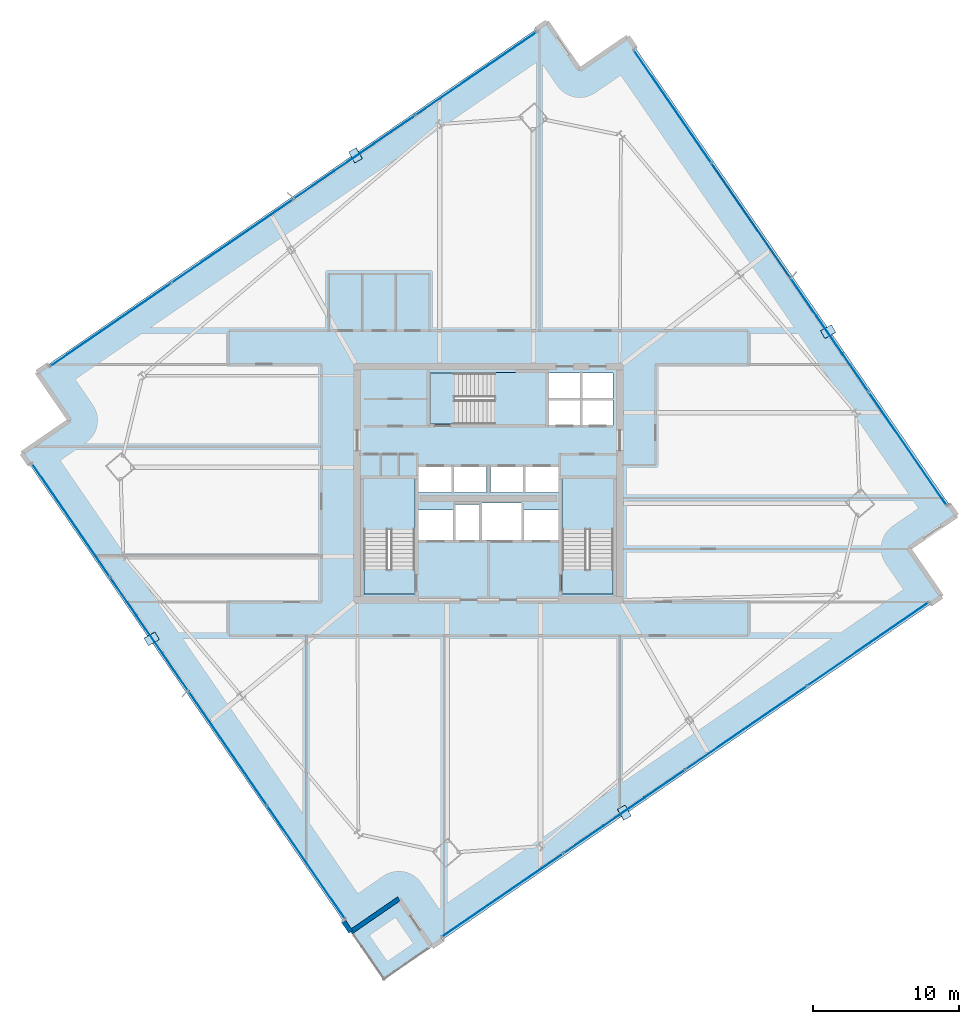
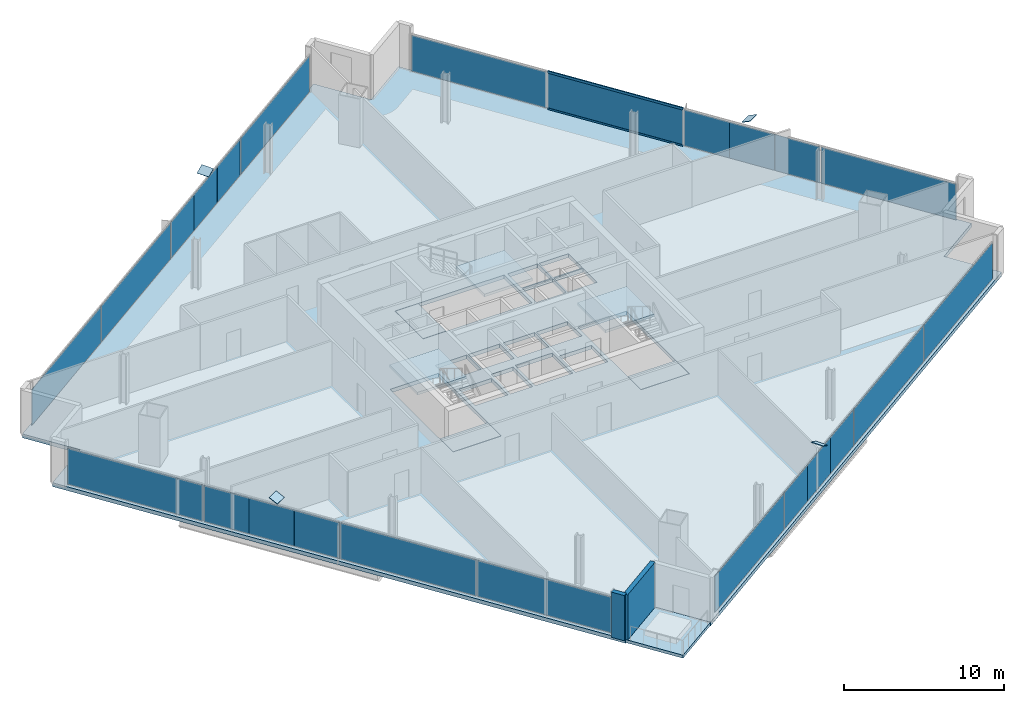
# One storey, part 20 of 29: 28 plates, 8 slabs, 2 members, 2 walls, 7 elements without a shape of their own.
"""IFC4 building model written with IfcOpenShell, lengths in metres."""

import ifcopenshell
import ifcopenshell.guid

model = None  # the IFC model being written
_history = None  # IfcOwnerHistory: only IFC2X3 demands one
_inside = {}  # id of a spatial element -> (the spatial element, [elements in it])
_under = {}  # id of a project, library or spatial element -> (it, [spatial elements below it])
_declared = {}  # id of a project -> (the project, [libraries it declares])
_typed = {}  # id of a type object -> (the type object, [elements of that type])
_made_of = {}  # id of a material, layer set ... -> (it, [elements and type objects made of it])


def new_model(schema):
    """Start an empty IFC model of exactly this schema.

    Asked for "IFC4X3", IfcOpenShell would pick the latest addendum, in which some entities
    have other attributes; the version numbers below select the first issue.
    IFC2X3 requires an IfcOwnerHistory on every rooted entity: one is made here for all.
    """
    global model, _history
    if schema == "IFC4X3":
        model = ifcopenshell.file(schema_version=(4, 3, 0, 0))
    else:
        model = ifcopenshell.file(schema=schema)
    _inside.clear()
    _under.clear()
    _declared.clear()
    _typed.clear()
    _made_of.clear()
    _history = None
    if model.schema == "IFC2X3":
        org = make("IfcOrganization", Name="unknown")
        user = make(
            "IfcPersonAndOrganization",
            ThePerson=make("IfcPerson", FamilyName="unknown"),
            TheOrganization=org,
        )
        app = make(
            "IfcApplication",
            ApplicationDeveloper=org,
            Version="unknown",
            ApplicationFullName="unknown",
            ApplicationIdentifier="unknown",
        )
        _history = make(
            "IfcOwnerHistory",
            OwningUser=user,
            OwningApplication=app,
            ChangeAction="ADDED",
            CreationDate=0,
        )
    return model


def make(cls, **values):
    """One entity of the class cls with the attributes given. An attribute that is None is left unset."""
    return model.create_entity(
        cls, **{name: value for name, value in values.items() if value is not None}
    )


def rooted(cls, **values):
    """An entity with a GlobalId (a new one), such as an element, a storey or a relation."""
    return make(cls, GlobalId=ifcopenshell.guid.new(), OwnerHistory=_history, **values)


def si_unit(unit_type, name, prefix=None):
    """IfcSIUnit, for example si_unit("LENGTHUNIT", "METRE", prefix="MILLI")."""
    return make("IfcSIUnit", UnitType=unit_type, Prefix=prefix, Name=name)


def assignment(units):
    """IfcUnitAssignment: the units of a project."""
    return None if units is None else make("IfcUnitAssignment", Units=units)


def point(xyz):
    """IfcCartesianPoint."""
    return None if xyz is None else make("IfcCartesianPoint", Coordinates=xyz)


def direction(xyz):
    """IfcDirection."""
    return None if xyz is None else make("IfcDirection", DirectionRatios=xyz)


def frame(location, z_axis=None, x_axis=None):
    """IfcAxis2Placement3D, a coordinate frame: its origin and axes. An axis left out is left unset."""
    return make(
        "IfcAxis2Placement3D",
        Location=point(location),
        Axis=direction(z_axis),
        RefDirection=direction(x_axis),
    )


def frame_2d(location, x_axis=None):
    """IfcAxis2Placement2D, a coordinate frame in the plane: its origin and x axis."""
    return make(
        "IfcAxis2Placement2D", Location=point(location), RefDirection=direction(x_axis)
    )


def origin():
    """The frame at (0, 0, 0) with its axes left unset."""
    return frame((0.0, 0.0, 0.0))


def origin_2d():
    """The frame at (0, 0) in the plane with its x axis left unset."""
    return frame_2d((0.0, 0.0))


def place(relative_to, where):
    """IfcLocalPlacement: puts the frame where relative to a parent placement (None: the world)."""
    return make(
        "IfcLocalPlacement", PlacementRelTo=relative_to, RelativePlacement=where
    )


def context(
    kind, dimensions, precision=None, world=None, true_north=None, identifier=None
):
    """IfcGeometricRepresentationContext, for example the 3D "Model" context."""
    return make(
        "IfcGeometricRepresentationContext",
        ContextIdentifier=identifier,
        ContextType=kind,
        CoordinateSpaceDimension=dimensions,
        Precision=precision,
        WorldCoordinateSystem=world,
        TrueNorth=true_north,
    )


def subcontext(parent, identifier, kind, view, scale=None):
    """IfcGeometricRepresentationSubContext, for example "Body" below "Model"."""
    return make(
        "IfcGeometricRepresentationSubContext",
        ContextIdentifier=identifier,
        ContextType=kind,
        ParentContext=parent,
        TargetScale=scale,
        TargetView=view,
    )


def project(units=None, contexts=None):
    """IfcProject with its units and contexts."""
    return rooted(
        "IfcProject",
        Name="project",
        RepresentationContexts=contexts,
        UnitsInContext=assignment(units),
    )


def spatial(cls, under=None, at=None, **own):
    """A site, building, storey or space (cls), placed at a placement, below another one or the project."""
    s = rooted(cls, ObjectPlacement=at, **own)
    if under is not None:
        _under.setdefault(under.id(), (under, []))[1].append(s)
    return s


def polyline(points):
    """IfcPolyline through the points."""
    return make("IfcPolyline", Points=[point(p) for p in points])


def profile(cls, at=None, kind="AREA", **sizes):
    """A parametric profile (cls). Its sizes go by their IFC names, for example OverallWidth=200.0."""
    return make(cls, ProfileType=kind, Position=at, **sizes)


def rectangle(**sizes):
    """IfcRectangleProfileDef."""
    return profile("IfcRectangleProfileDef", **sizes)


def hollow_rectangle(**sizes):
    """IfcRectangleHollowProfileDef."""
    return profile("IfcRectangleHollowProfileDef", **sizes)


def outline(outer, holes=None, kind="AREA"):
    """IfcArbitraryClosedProfileDef: a profile drawn as a closed curve; with holes, ...WithVoids."""
    if holes is None:
        return make("IfcArbitraryClosedProfileDef", ProfileType=kind, OuterCurve=outer)
    return make(
        "IfcArbitraryProfileDefWithVoids",
        ProfileType=kind,
        OuterCurve=outer,
        InnerCurves=holes,
    )


def extrude(swept, where, along, depth):
    """IfcExtrudedAreaSolid: the profile swept, set in the frame where, extruded along a direction by depth."""
    return make(
        "IfcExtrudedAreaSolid",
        SweptArea=swept,
        Position=where,
        ExtrudedDirection=direction(along),
        Depth=depth,
    )


def shape(context_of_items, identifier, shape_type, items):
    """IfcShapeRepresentation: the items that make up one representation, for example the "Body"."""
    return make(
        "IfcShapeRepresentation",
        ContextOfItems=context_of_items,
        RepresentationIdentifier=identifier,
        RepresentationType=shape_type,
        Items=items,
    )


def source(mapping_origin, context_of_items, identifier, shape_type, items):
    """IfcRepresentationMap: a shape defined once, which mapped items show again and again."""
    return make(
        "IfcRepresentationMap",
        MappingOrigin=mapping_origin,
        MappedRepresentation=shape(context_of_items, identifier, shape_type, items),
    )


def transform(
    local_origin,
    x_axis=None,
    y_axis=None,
    z_axis=None,
    scale=None,
    scale2=None,
    scale3=None,
    uniform=True,
):
    """IfcCartesianTransformationOperator3D, or its non-uniform kind. x_axis, y_axis, z_axis: its Axis1, 2, 3."""
    if uniform:
        return make(
            "IfcCartesianTransformationOperator3D",
            Axis1=direction(x_axis),
            Axis2=direction(y_axis),
            LocalOrigin=point(local_origin),
            Scale=scale,
            Axis3=direction(z_axis),
        )
    return make(
        "IfcCartesianTransformationOperator3DnonUniform",
        Axis1=direction(x_axis),
        Axis2=direction(y_axis),
        LocalOrigin=point(local_origin),
        Scale=scale,
        Axis3=direction(z_axis),
        Scale2=scale2,
        Scale3=scale3,
    )


def mapped(mapping_source, mapping_target):
    """IfcMappedItem: shows the shape of a source again, moved by a transform."""
    return make(
        "IfcMappedItem", MappingSource=mapping_source, MappingTarget=mapping_target
    )


def material(Name=None, Category=None):
    """IfcMaterial."""
    return make("IfcMaterial", Name=Name, Category=Category)


def layer(
    of_material, thickness, ventilated=None, Name=None, Category=None, Priority=None
):
    """IfcMaterialLayer: one layer of a wall or slab, of a material (None: an air gap)."""
    return make(
        "IfcMaterialLayer",
        Material=of_material,
        LayerThickness=thickness,
        IsVentilated=ventilated,
        Name=Name,
        Category=Category,
        Priority=Priority,
    )


def layer_set(layers, Name=None):
    """IfcMaterialLayerSet."""
    return make("IfcMaterialLayerSet", MaterialLayers=layers, LayerSetName=Name)


def material_profile(
    of_material, cross_section, Name=None, Category=None, Priority=None
):
    """IfcMaterialProfile: a cross section and its material."""
    return make(
        "IfcMaterialProfile",
        Name=Name,
        Material=of_material,
        Profile=cross_section,
        Priority=Priority,
        Category=Category,
    )


def profile_set(profiles, Name=None, composite=None):
    """IfcMaterialProfileSet."""
    return make(
        "IfcMaterialProfileSet",
        Name=Name,
        MaterialProfiles=profiles,
        CompositeProfile=composite,
    )


def made_of(thing, what):
    """Note that an element or type object is made of a material, layer set ...; save() writes the relation."""
    if what is not None:
        _made_of.setdefault(what.id(), (what, []))[1].append(thing)
    return thing


def type_object(cls, material=None, **own):
    """A type object (cls), such as IfcWallType, which elements share."""
    return made_of(rooted(cls, **own), material)


def element(
    cls,
    number,
    at=None,
    inside=None,
    cuts=None,
    type_object=None,
    material=None,
    context=None,
    identifier="Body",
    shape_type=None,
    held_by="IfcProductDefinitionShape",
    body=None,
    shapes=None,
    **own,
):
    """One element of the class cls, such as IfcWall. Its Tag is "e" and its number.

    at: its placement. inside: the storey or other place that contains it. cuts: it is an
    opening in that element (IfcRelVoidsElement). A single representation is given by context,
    identifier, shape_type and body (its items); several are given by shapes. held_by: the class
    of the entity that holds the representations. save() writes the other relations.
    """
    e = rooted(cls, Tag="e%d" % number, ObjectPlacement=at, **own)
    if body is not None:
        shapes = [shape(context, identifier, shape_type, body)]
    if shapes is not None:
        e.Representation = make(held_by, Representations=shapes)
    if inside is not None:
        _inside.setdefault(inside.id(), (inside, []))[1].append(e)
    if cuts is not None:
        rooted(
            "IfcRelVoidsElement", RelatingBuildingElement=cuts, RelatedOpeningElement=e
        )
    if type_object is not None:
        _typed.setdefault(type_object.id(), (type_object, []))[1].append(e)
    return made_of(e, material)


def aggregate(whole, parts):
    """IfcRelAggregates: a whole, such as a stair, and the parts it consists of."""
    return rooted("IfcRelAggregates", RelatingObject=whole, RelatedObjects=parts)


def save(model, path):
    """Write the relations noted so far, then the file.

    IfcRelAggregates (storeys below a building ...), IfcRelContainedInSpatialStructure (elements
    in a storey), IfcRelDefinesByType, IfcRelAssociatesMaterial and IfcRelDeclares: one each for
    every whole, place, type object, material and project.
    """
    for whole, parts in _under.values():
        aggregate(whole, parts)
    for where, things in _inside.values():
        rooted(
            "IfcRelContainedInSpatialStructure",
            RelatedElements=things,
            RelatingStructure=where,
        )
    for kind, things in _typed.values():
        rooted("IfcRelDefinesByType", RelatedObjects=things, RelatingType=kind)
    for what, things in _made_of.values():
        rooted("IfcRelAssociatesMaterial", RelatedObjects=things, RelatingMaterial=what)
    for by, libraries in _declared.values():
        rooted("IfcRelDeclares", RelatingContext=by, RelatedDefinitions=libraries)
    model.write(path)


model = new_model("IFC4")

# Units and contexts
model_context = context("Model", 3, precision=1e-05, world=origin(), true_north=direction((0.0, 1.0)))
body_context = subcontext(model_context, "Body", "Model", "MODEL_VIEW")
ifc_project = project(units=[si_unit("LENGTHUNIT", "METRE"), si_unit("AREAUNIT", "SQUARE_METRE"), si_unit("VOLUMEUNIT", "CUBIC_METRE"), si_unit("PLANEANGLEUNIT", "RADIAN"), si_unit("MASSUNIT", "GRAM", prefix="KILO")], contexts=[model_context])

# Site, building, storey
site_placement = place(None, origin())
site = spatial("IfcSite", under=ifc_project, at=site_placement, CompositionType="ELEMENT")
building_placement = place(site_placement, origin())
building = spatial("IfcBuilding", under=site, at=building_placement, Name="Haldenkirk Collegiate Tower", CompositionType="ELEMENT")
storey_placement = place(building_placement, frame((0.0, 0.0, 144.449951171875)))
storey = spatial("IfcBuildingStorey", under=building, at=storey_placement, Name="L35", CompositionType="ELEMENT", Elevation=144.449951171875)

# Curtain wall, members
ifc_material_1 = material(Name="Anodised architectural bronze aluminium", Category="aluminium")
curtain_wall_type_1 = type_object("IfcCurtainWallType", Name="CW-SYS1-CONVEX-LOW", PredefinedType="USERDEFINED", material=ifc_material_1)
curtain_wall_1_placement = place(storey_placement, origin())
curtain_wall_1 = element("IfcCurtainWall", 1, at=curtain_wall_1_placement, inside=storey, type_object=curtain_wall_type_1, Name="L35 Lower tower convex bronze-framed unitised curtain wall", ObjectType="UNITISED CURTAIN WALL", PredefinedType="USERDEFINED")
ifc_material_profile = material_profile(ifc_material_1, hollow_rectangle(XDim=0.080078125, YDim=0.179931640625, WallThickness=0.0048828125, at=origin_2d()), Name="CW-TRN-1A")
ifc_profile_set = profile_set([ifc_material_profile], Name="Anodised architectural bronze aluminium")
member_type = type_object("IfcMemberType", Name="CW-TRN-1A", PredefinedType="USERDEFINED", material=ifc_profile_set)
member_1_placement = place(storey_placement, frame((51.318115234375, 47.88525390625, 0.0400390625), z_axis=(0.566403421849, -0.824128123363, 0.0), x_axis=(0.824128123363, 0.566403421849, 0.0)))
member_1 = element("IfcMember", 2, at=member_1_placement, type_object=member_type, Name="CW-1A transom 2.1", ObjectType="TRANSOM", PredefinedType="USERDEFINED", context=body_context, shape_type="SweptSolid", body=[
    extrude(hollow_rectangle(XDim=0.080078125, YDim=0.179931640625, WallThickness=0.0048828125, at=origin_2d()), origin(), (0.0, 0.0, 1.0), 9.419921875),
])
member_2_placement = place(storey_placement, frame((51.318115234375, 47.88525390625, 2.87109375), z_axis=(0.566403421849, -0.824128123363, 0.0), x_axis=(0.824128123363, 0.566403421849, 0.0)))
member_2 = element("IfcMember", 3, at=member_2_placement, type_object=member_type, Name="CW-1A transom 2.2", ObjectType="TRANSOM", PredefinedType="USERDEFINED", context=body_context, shape_type="SweptSolid", body=[
    extrude(hollow_rectangle(XDim=0.080078125, YDim=0.179931640625, WallThickness=0.0048828125, at=origin_2d()), origin(), (0.0, 0.0, 1.0), 9.419921875),
])

# Slab
ifc_material_2 = material(Name="Concrete f'c 40 MPa", Category="concrete")
ifc_layer_1 = layer(ifc_material_2, 0.2900390625)
ifc_layer_set_1 = layer_set([ifc_layer_1], Name="Concrete f'c 40 MPa")
slab_type_1 = type_object("IfcSlabType", Name="SLB-FLR-290", PredefinedType="FLOOR", material=ifc_layer_set_1)
slab_1_placement = place(storey_placement, frame((0.0, 0.0, -0.2900390625)))
element("IfcSlab", 4, at=slab_1_placement, inside=storey, type_object=slab_type_1, Name="L35 composite structural floor slab", PredefinedType="FLOOR", context=body_context, shape_type="SweptSolid", body=[
    extrude(outline(polyline([(32.122314453125, -5.786865234375), (67.065185546875, 18.228759765625), (64.799560546875, 21.525390625), (68.09619140625, 23.791015625), (45.552978515625, 56.591064453125), (42.256591796875, 54.325439453125), (39.990966796875, 57.6220703125), (5.048095703125, 33.6064453125), (7.313720703125, 30.309814453125), (4.01708984375, 28.044189453125), (26.56005859375, -4.756103515625), (29.856689453125, -2.490234375), (32.122314453125, -5.786865234375)]), holes=[polyline([(27.449951171875, 18.39990234375), (30.949951171875, 18.39990234375), (30.949951171875, 26.300048828125), (27.449951171875, 26.300048828125), (27.449951171875, 18.39990234375)]), polyline([(41.050048828125, 18.39990234375), (44.550048828125, 18.39990234375), (44.550048828125, 26.300048828125), (41.050048828125, 26.300048828125), (41.050048828125, 18.39990234375)]), polyline([(32.0, 30.050048828125), (39.89990234375, 30.050048828125), (39.89990234375, 33.550048828125), (32.0, 33.550048828125), (32.0, 30.050048828125)]), polyline([(33.75, 22.10009765625), (35.35009765625, 22.10009765625), (35.35009765625, 24.550048828125), (33.75, 24.550048828125), (33.75, 22.10009765625)]), polyline([(40.14990234375, 29.949951171875), (42.320068359375, 29.949951171875), (42.320068359375, 31.699951171875), (40.14990234375, 31.699951171875), (40.14990234375, 29.949951171875)]), polyline([(42.419921875, 29.949951171875), (44.550048828125, 29.949951171875), (44.550048828125, 31.699951171875), (42.419921875, 31.699951171875), (42.419921875, 29.949951171875)]), polyline([(40.14990234375, 31.800048828125), (42.320068359375, 31.800048828125), (42.320068359375, 33.550048828125), (40.14990234375, 33.550048828125), (40.14990234375, 31.800048828125)]), polyline([(42.419921875, 31.800048828125), (44.550048828125, 31.800048828125), (44.550048828125, 33.550048828125), (42.419921875, 33.550048828125), (42.419921875, 31.800048828125)]), polyline([(31.199951171875, 25.35009765625), (33.47998046875, 25.35009765625), (33.47998046875, 27.14990234375), (31.199951171875, 27.14990234375), (31.199951171875, 25.35009765625)]), polyline([(33.60009765625, 25.35009765625), (35.8798828125, 25.35009765625), (35.8798828125, 27.14990234375), (33.60009765625, 27.14990234375), (33.60009765625, 25.35009765625)]), polyline([(36.1201171875, 25.35009765625), (38.39990234375, 25.35009765625), (38.39990234375, 27.14990234375), (36.1201171875, 27.14990234375), (36.1201171875, 25.35009765625)]), polyline([(38.52001953125, 25.35009765625), (40.800048828125, 25.35009765625), (40.800048828125, 27.14990234375), (38.52001953125, 27.14990234375), (38.52001953125, 25.35009765625)]), polyline([(31.199951171875, 22.10009765625), (33.550048828125, 22.10009765625), (33.550048828125, 24.14990234375), (31.199951171875, 24.14990234375), (31.199951171875, 22.10009765625)]), polyline([(38.449951171875, 22.10009765625), (40.800048828125, 22.10009765625), (40.800048828125, 24.14990234375), (38.449951171875, 24.14990234375), (38.449951171875, 22.10009765625)]), polyline([(35.550048828125, 22.10009765625), (38.25, 22.10009765625), (38.25, 24.64990234375), (35.550048828125, 24.64990234375), (35.550048828125, 22.10009765625)])]), origin(), (0.0, 0.0, 1.0), 0.2900390625),
])

# Stair, slab
stair_type = type_object("IfcStairType", Name="STR-DOGLEG-1650", PredefinedType="HALF_TURN_STAIR", material=ifc_material_2)
stair_1_placement = place(storey_placement, origin())
stair_1 = element("IfcStair", 5, at=stair_1_placement, inside=storey, type_object=stair_type, Name="L35 Core Exit Stair ST-1", PredefinedType="HALF_TURN_STAIR")
ifc_layer_2 = layer(ifc_material_2, 0.199951171875)
ifc_layer_set_2 = layer_set([ifc_layer_2], Name="Concrete f'c 40 MPa")
slab_type_2 = type_object("IfcSlabType", Name="SLB-LANDING-200", PredefinedType="LANDING", material=ifc_layer_set_2)
slab_2_placement = place(storey_placement, frame((0.0, 0.0, 1.675048828125)))
slab_2 = element("IfcSlab", 6, at=slab_2_placement, type_object=slab_type_2, Name="ST-1 landing 1", PredefinedType="LANDING", context=body_context, shape_type="SweptSolid", body=[
    extrude(outline(polyline([(30.97509765625, 22.824951171875), (27.425048828125, 22.824951171875), (27.425048828125, 26.324951171875), (30.97509765625, 26.324951171875), (30.97509765625, 22.824951171875)])), origin(), (0.0, 0.0, 1.0), 0.199951171875),
])
aggregate(stair_1, [slab_2])

stair_2_placement = place(storey_placement, origin())
stair_2 = element("IfcStair", 7, at=stair_2_placement, inside=storey, type_object=stair_type, Name="L35 Core Exit Stair ST-2", PredefinedType="HALF_TURN_STAIR")
slab_3_placement = place(storey_placement, frame((0.0, 0.0, 1.675048828125)))
slab_3 = element("IfcSlab", 8, at=slab_3_placement, type_object=slab_type_2, Name="ST-2 landing 1", PredefinedType="LANDING", context=body_context, shape_type="SweptSolid", body=[
    extrude(outline(polyline([(44.574951171875, 22.824951171875), (41.02490234375, 22.824951171875), (41.02490234375, 26.324951171875), (44.574951171875, 26.324951171875), (44.574951171875, 22.824951171875)])), origin(), (0.0, 0.0, 1.0), 0.199951171875),
])
aggregate(stair_2, [slab_3])

stair_3_placement = place(storey_placement, origin())
stair_3 = element("IfcStair", 9, at=stair_3_placement, inside=storey, type_object=stair_type, Name="L35 Core Exit Stair ST-3", PredefinedType="HALF_TURN_STAIR")
slab_4_placement = place(storey_placement, frame((0.0, 0.0, 1.675048828125)))
slab_4 = element("IfcSlab", 10, at=slab_4_placement, type_object=slab_type_2, Name="ST-3 landing 1", PredefinedType="LANDING", context=body_context, shape_type="SweptSolid", body=[
    extrude(outline(polyline([(36.425048828125, 30.02490234375), (36.425048828125, 33.574951171875), (39.925048828125, 33.574951171875), (39.925048828125, 30.02490234375), (36.425048828125, 30.02490234375)])), origin(), (0.0, 0.0, 1.0), 0.199951171875),
])
aggregate(stair_3, [slab_4])

# Slabs
ifc_layer_3 = layer(ifc_material_2, 0.25)
ifc_layer_set_3 = layer_set([ifc_layer_3], Name="Concrete f'c 40 MPa")
slab_type_3 = type_object("IfcSlabType", Name="SLB-STAIRLAND-250", PredefinedType="LANDING", material=ifc_layer_set_3)
slab_5_placement = place(storey_placement, frame((0.0, 0.0, -0.25)))
element("IfcSlab", 11, at=slab_5_placement, inside=storey, type_object=slab_type_3, Name="L35 stair ST1 structural floor landing slab", PredefinedType="LANDING", context=body_context, shape_type="SweptSolid", body=[
    extrude(outline(polyline([(27.4599609375, 18.409912109375), (30.93994140625, 18.409912109375), (30.93994140625, 20.080078125), (27.4599609375, 20.080078125), (27.4599609375, 18.409912109375)])), origin(), (0.0, 0.0, 1.0), 0.25),
])
slab_6_placement = place(storey_placement, frame((0.0, 0.0, -0.25)))
element("IfcSlab", 12, at=slab_6_placement, inside=storey, type_object=slab_type_3, Name="L35 stair ST2 structural floor landing slab", PredefinedType="LANDING", context=body_context, shape_type="SweptSolid", body=[
    extrude(outline(polyline([(41.06005859375, 18.409912109375), (44.5400390625, 18.409912109375), (44.5400390625, 20.080078125), (41.06005859375, 20.080078125), (41.06005859375, 18.409912109375)])), origin(), (0.0, 0.0, 1.0), 0.25),
])
slab_7_placement = place(storey_placement, frame((0.0, 0.0, -0.25)))
element("IfcSlab", 13, at=slab_7_placement, inside=storey, type_object=slab_type_3, Name="L35 stair ST3 structural floor landing slab", PredefinedType="LANDING", context=body_context, shape_type="SweptSolid", body=[
    extrude(outline(polyline([(32.010009765625, 30.06005859375), (33.679931640625, 30.06005859375), (33.679931640625, 33.5400390625), (32.010009765625, 33.5400390625), (32.010009765625, 30.06005859375)])), origin(), (0.0, 0.0, 1.0), 0.25),
])
ifc_layer_4 = layer(ifc_material_2, 0.22998046875)
ifc_layer_set_4 = layer_set([ifc_layer_4], Name="Concrete f'c 40 MPa")
slab_type_4 = type_object("IfcSlabType", Name="SLB-TERR-SPIRAL-230", PredefinedType="FLOOR", material=ifc_layer_set_4)
slab_8_placement = place(storey_placement, frame((0.0, 0.0, -0.22998046875)))
element("IfcSlab", 14, at=slab_8_placement, inside=storey, type_object=slab_type_4, Name="L35 spiralling corner terrace slab", PredefinedType="FLOOR", context=body_context, shape_type="SweptSolid", body=[
    extrude(outline(polyline([(28.82568359375, -8.052490234375), (32.122314453125, -5.786865234375), (29.856689453125, -2.490234375), (26.56005859375, -4.756103515625), (28.82568359375, -8.052490234375)])), origin(), (0.0, 0.0, 1.0), 0.22998046875),
])

# Plates
ifc_material_3 = material(Name="Steel ASTM A572 Grade 50", Category="steel")
ifc_layer_5 = layer(ifc_material_3, 0.034912109375)
ifc_layer_set_5 = layer_set([ifc_layer_5], Name="Steel ASTM A572 Grade 50")
plate_type_1 = type_object("IfcPlateType", Name="PLT-CAP-EXT-760X600", PredefinedType="USERDEFINED", material=ifc_layer_set_5)
shared_shape_1 = source(origin(), body_context, "Body", "SweptSolid", [
    extrude(rectangle(XDim=0.860107421875, YDim=0.659912109375, at=origin_2d()), origin(), (0.0, 0.0, 1.0), 0.034912109375),
])
for number, where, z_axis, x_axis, name in (
    (15, (45.30419921875, 3.4091796875, 3.447509765625), (0.386889094797, 0.217913053394, 0.896008219543), (-0.490753059337, 0.871298705813, -3.9565e-07), "Perimeter Mega Brace Z3 L33-L35 SL end cap plate 2"),
    (16, (59.291259765625, 36.386474609375, 3.447509765625), (-0.213793124675, 0.376348219471, 0.901473525703), (-0.869497686663, -0.493937013076, -3.4602e-07), "Perimeter Mega Brace Z3 L33-L35 EL end cap plate 2"),
    (17, (26.89208984375, 48.4853515625, 3.447509765625), (-0.388689008173, -0.218536004595, 0.895077018821), (0.490088028787, -0.87167294557, -1.03915e-07), "Perimeter Mega Brace Z3 L33-L35 NL end cap plate 2"),
    (18, (12.906494140625, 15.337890625, 3.447509765625), (0.218724941125, -0.381188897394, 0.898250758215), (0.867356809287, 0.497686814556, 1.34754e-07), "Perimeter Mega Brace Z3 L33-L35 WL end cap plate 2"),
):
    element("IfcPlate", number, at=place(storey_placement, frame(where, z_axis=z_axis, x_axis=x_axis)), inside=storey, type_object=plate_type_1, Name=name, ObjectType="END CAP PLATE", PredefinedType="USERDEFINED", context=body_context, shape_type="MappedRepresentation", body=[
        mapped(shared_shape_1, transform((0.0, 0.0, 0.0), x_axis=(1.0, 0.0, 0.0), y_axis=(0.0, 1.0, 0.0), z_axis=(0.0, 0.0, 1.0), scale=1.0)),
    ])

# Curtain wall, plates
curtain_wall_type_2 = type_object("IfcCurtainWallType", Name="CW-SYS2-CONCAVE", PredefinedType="USERDEFINED", material=ifc_material_1)
curtain_wall_2_placement = place(storey_placement, origin())
curtain_wall_2 = element("IfcCurtainWall", 19, at=curtain_wall_2_placement, inside=storey, type_object=curtain_wall_type_2, Name="L35 South concave recessed bronze-anodised curtain wall", ObjectType="UNITISED CURTAIN WALL", PredefinedType="USERDEFINED")
ifc_material_4 = material(Name="Low-E argon triple insulating glass", Category="glass")
ifc_layer_6 = layer(ifc_material_4, 0.0419921875)
ifc_layer_set_6 = layer_set([ifc_layer_6], Name="Low-E argon triple insulating glass")
plate_type_2 = type_object("IfcPlateType", Name="CW-PNL-02", PredefinedType="CURTAIN_PANEL", material=ifc_layer_set_6)
shared_shape_2 = source(origin(), body_context, "Body", "SweptSolid", [
    extrude(rectangle(XDim=10.03759765625, YDim=0.0419921875, at=origin_2d()), origin(), (0.0, 0.0, 1.0), 2.760986328125),
])
plate_1_placement = place(storey_placement, frame((62.023681640625, 14.982177734375, 0.0751953125), z_axis=(0.0, 0.0, 1.0), x_axis=(-0.82412707661, -0.566404944893, 0.0)))
plate_1 = element("IfcPlate", 20, at=plate_1_placement, type_object=plate_type_2, Name="CW-02 panel 1.1", PredefinedType="CURTAIN_PANEL", context=body_context, shape_type="MappedRepresentation", body=[
    mapped(shared_shape_2, transform((0.0, 0.0, 0.0), x_axis=(1.0, 0.0, 0.0), y_axis=(0.0, 1.0, 0.0), z_axis=(0.0, 0.0, 1.0), scale=1.0)),
])
plate_2_placement = place(storey_placement, frame((36.9599609375, -2.24365234375, 0.0751953125), z_axis=(0.0, 0.0, 1.0), x_axis=(-0.82412707661, -0.566404944893, 0.0)))
plate_2 = element("IfcPlate", 21, at=plate_2_placement, type_object=plate_type_2, Name="CW-02 panel 4.1", PredefinedType="CURTAIN_PANEL", context=body_context, shape_type="MappedRepresentation", body=[
    mapped(shared_shape_2, transform((0.0, 0.0, 0.0), x_axis=(1.0, 0.0, 0.0), y_axis=(0.0, 1.0, 0.0), z_axis=(0.0, 0.0, 1.0), scale=1.0)),
])
shared_shape_3 = source(origin(), body_context, "Body", "SweptSolid", [
    extrude(rectangle(XDim=10.074951171875, YDim=0.0419921875, at=origin_2d()), origin(), (0.0, 0.0, 1.0), 2.760986328125),
])
plate_3_placement = place(storey_placement, frame((53.674072265625, 9.243896484375, 0.0751953125), z_axis=(0.0, 0.0, 1.0), x_axis=(-0.82412707661, -0.566404944893, 0.0)))
plate_3 = element("IfcPlate", 22, at=plate_3_placement, type_object=plate_type_2, Name="CW-02 panel 2.1", PredefinedType="CURTAIN_PANEL", context=body_context, shape_type="MappedRepresentation", body=[
    mapped(shared_shape_3, transform((0.0, 0.0, 0.0), x_axis=(1.0, 0.0, 0.0), y_axis=(0.0, 1.0, 0.0), z_axis=(0.0, 0.0, 1.0), scale=1.0)),
])
ifc_material_5 = material(Name="Bronze-anodised insulated aluminium spandrel panel", Category="aluminium")
ifc_layer_7 = layer(ifc_material_5, 0.0419921875)
ifc_layer_set_7 = layer_set([ifc_layer_7], Name="Bronze-anodised insulated aluminium spandrel panel")
plate_type_3 = type_object("IfcPlateType", Name="CW-SPD-02", PredefinedType="CURTAIN_PANEL", material=ifc_layer_set_7)
shared_shape_4 = source(origin(), body_context, "Body", "SweptSolid", [
    extrude(rectangle(XDim=3.345703125, YDim=0.0419921875, at=origin_2d()), origin(), (0.0, 0.0, 1.0), 2.760986328125),
])
plate_4_placement = place(storey_placement, frame((48.082275390625, 5.400390625, 0.0751953125), z_axis=(0.0, 0.0, 1.0), x_axis=(-0.82412707661, -0.566404944893, 0.0)))
plate_4 = element("IfcPlate", 23, at=plate_4_placement, type_object=plate_type_3, Name="CW-02 spandrel panel 3.1a", PredefinedType="CURTAIN_PANEL", context=body_context, shape_type="MappedRepresentation", body=[
    mapped(shared_shape_4, transform((0.0, 0.0, 0.0), x_axis=(1.0, 0.0, 0.0), y_axis=(0.0, 1.0, 0.0), z_axis=(0.0, 0.0, 1.0), scale=1.0)),
])
plate_5_placement = place(storey_placement, frame((42.53662109375, 1.589111328125, 0.0751953125), z_axis=(0.0, 0.0, 1.0), x_axis=(-0.82412707661, -0.566404944893, 0.0)))
plate_5 = element("IfcPlate", 24, at=plate_5_placement, type_object=plate_type_3, Name="CW-02 spandrel panel 3.1c", PredefinedType="CURTAIN_PANEL", context=body_context, shape_type="MappedRepresentation", body=[
    mapped(shared_shape_4, transform((0.0, 0.0, 0.0), x_axis=(1.0, 0.0, 0.0), y_axis=(0.0, 1.0, 0.0), z_axis=(0.0, 0.0, 1.0), scale=1.0)),
])
shared_shape_5 = source(origin(), body_context, "Body", "SweptSolid", [
    extrude(rectangle(XDim=3.333251953125, YDim=0.0419921875, at=origin_2d()), origin(), (0.0, 0.0, 1.0), 2.760986328125),
])
plate_6_placement = place(storey_placement, frame((45.309326171875, 3.494873046875, 0.0751953125), z_axis=(0.0, 0.0, 1.0), x_axis=(-0.82412707661, -0.566404944893, 0.0)))
plate_6 = element("IfcPlate", 25, at=plate_6_placement, type_object=plate_type_3, Name="CW-02 spandrel panel 3.1b", PredefinedType="CURTAIN_PANEL", context=body_context, shape_type="MappedRepresentation", body=[
    mapped(shared_shape_5, transform((0.0, 0.0, 0.0), x_axis=(1.0, 0.0, 0.0), y_axis=(0.0, 1.0, 0.0), z_axis=(0.0, 0.0, 1.0), scale=1.0)),
])
aggregate(curtain_wall_2, [plate_1, plate_3, plate_4, plate_6, plate_5, plate_2])

# Plate
ifc_layer_8 = layer(ifc_material_4, 0.0439453125)
ifc_layer_set_8 = layer_set([ifc_layer_8], Name="Low-E argon triple insulating glass")
plate_type_4 = type_object("IfcPlateType", Name="CW-PNL-1A", PredefinedType="CURTAIN_PANEL", material=ifc_layer_set_8)
shared_shape_6 = source(origin(), body_context, "Body", "SweptSolid", [
    extrude(rectangle(XDim=9.3798828125, YDim=0.0439453125, at=origin_2d()), origin(), (0.0, 0.0, 1.0), 2.7509765625),
])
plate_7_placement = place(storey_placement, frame((48.616455078125, 51.81640625, 0.080078125), z_axis=(0.0, 0.0, 1.0), x_axis=(0.5664055162, -0.824126683962, 0.0)))
plate_7 = element("IfcPlate", 26, at=plate_7_placement, type_object=plate_type_4, Name="CW-1A panel 1.1", PredefinedType="CURTAIN_PANEL", context=body_context, shape_type="MappedRepresentation", body=[
    mapped(shared_shape_6, transform((0.0, 0.0, 0.0), x_axis=(1.0, 0.0, 0.0), y_axis=(0.0, 1.0, 0.0), z_axis=(0.0, 0.0, 1.0), scale=1.0)),
])

plate_8_placement = place(storey_placement, frame((64.736328125, 28.361572265625, 0.080078125), z_axis=(0.0, 0.0, 1.0), x_axis=(0.5664055162, -0.824126683962, 0.0)))
plate_8 = element("IfcPlate", 27, at=plate_8_placement, type_object=plate_type_4, Name="CW-1A panel 4.1", PredefinedType="CURTAIN_PANEL", context=body_context, shape_type="MappedRepresentation", body=[
    mapped(shared_shape_6, transform((0.0, 0.0, 0.0), x_axis=(1.0, 0.0, 0.0), y_axis=(0.0, 1.0, 0.0), z_axis=(0.0, 0.0, 1.0), scale=1.0)),
])

# Curtain wall, plates
curtain_wall_3_placement = place(storey_placement, origin())
curtain_wall_3 = element("IfcCurtainWall", 28, at=curtain_wall_3_placement, inside=storey, type_object=curtain_wall_type_1, Name="L35 Lower tower convex bronze-framed unitised curtain wall", ObjectType="UNITISED CURTAIN WALL", PredefinedType="USERDEFINED")
plate_9_placement = place(storey_placement, frame((23.496826171875, 0.018798828125, 0.080078125), z_axis=(0.0, 0.0, 1.0), x_axis=(-0.566402500476, 0.8241287566, 0.0)))
plate_9 = element("IfcPlate", 29, at=plate_9_placement, type_object=plate_type_4, Name="CW-1A panel 1.1", PredefinedType="CURTAIN_PANEL", context=body_context, shape_type="MappedRepresentation", body=[
    mapped(shared_shape_6, transform((0.0, 0.0, 0.0), x_axis=(1.0, 0.0, 0.0), y_axis=(0.0, 1.0, 0.0), z_axis=(0.0, 0.0, 1.0), scale=1.0)),
])
plate_10_placement = place(storey_placement, frame((7.376953125, 23.473388671875, 0.080078125), z_axis=(0.0, 0.0, 1.0), x_axis=(-0.566402500476, 0.8241287566, 0.0)))
plate_10 = element("IfcPlate", 30, at=plate_10_placement, type_object=plate_type_4, Name="CW-1A panel 4.1", PredefinedType="CURTAIN_PANEL", context=body_context, shape_type="MappedRepresentation", body=[
    mapped(shared_shape_6, transform((0.0, 0.0, 0.0), x_axis=(1.0, 0.0, 0.0), y_axis=(0.0, 1.0, 0.0), z_axis=(0.0, 0.0, 1.0), scale=1.0)),
])

# Plate
ifc_layer_9 = layer(ifc_material_5, 0.0439453125)
ifc_layer_set_9 = layer_set([ifc_layer_9], Name="Bronze-anodised insulated aluminium spandrel panel")
plate_type_5 = type_object("IfcPlateType", Name="CW-SPD-1A", PredefinedType="CURTAIN_PANEL", material=ifc_layer_set_9)
shared_shape_7 = source(origin(), body_context, "Body", "SweptSolid", [
    extrude(rectangle(XDim=3.12744140625, YDim=0.0439453125, at=origin_2d()), origin(), (0.0, 0.0, 1.0), 2.7509765625),
])
plate_11_placement = place(storey_placement, frame((57.584716796875, 38.767333984375, 0.080078125), z_axis=(0.0, 0.0, 1.0), x_axis=(0.5664055162, -0.824126683962, 0.0)))
plate_11 = element("IfcPlate", 31, at=plate_11_placement, type_object=plate_type_5, Name="CW-1A spandrel panel 3.1a", PredefinedType="CURTAIN_PANEL", context=body_context, shape_type="MappedRepresentation", body=[
    mapped(shared_shape_7, transform((0.0, 0.0, 0.0), x_axis=(1.0, 0.0, 0.0), y_axis=(0.0, 1.0, 0.0), z_axis=(0.0, 0.0, 1.0), scale=1.0)),
])

plate_12_placement = place(storey_placement, frame((61.148681640625, 33.58154296875, 0.080078125), z_axis=(0.0, 0.0, 1.0), x_axis=(0.5664055162, -0.824126683962, 0.0)))
plate_12 = element("IfcPlate", 32, at=plate_12_placement, type_object=plate_type_5, Name="CW-1A spandrel panel 3.1c", PredefinedType="CURTAIN_PANEL", context=body_context, shape_type="MappedRepresentation", body=[
    mapped(shared_shape_7, transform((0.0, 0.0, 0.0), x_axis=(1.0, 0.0, 0.0), y_axis=(0.0, 1.0, 0.0), z_axis=(0.0, 0.0, 1.0), scale=1.0)),
])

plate_13_placement = place(storey_placement, frame((14.528564453125, 13.06787109375, 0.080078125), z_axis=(0.0, 0.0, 1.0), x_axis=(-0.566402500476, 0.8241287566, 0.0)))
plate_13 = element("IfcPlate", 33, at=plate_13_placement, type_object=plate_type_5, Name="CW-1A spandrel panel 3.1a", PredefinedType="CURTAIN_PANEL", context=body_context, shape_type="MappedRepresentation", body=[
    mapped(shared_shape_7, transform((0.0, 0.0, 0.0), x_axis=(1.0, 0.0, 0.0), y_axis=(0.0, 1.0, 0.0), z_axis=(0.0, 0.0, 1.0), scale=1.0)),
])

plate_14_placement = place(storey_placement, frame((10.964599609375, 18.253662109375, 0.080078125), z_axis=(0.0, 0.0, 1.0), x_axis=(-0.566402500476, 0.8241287566, 0.0)))
plate_14 = element("IfcPlate", 34, at=plate_14_placement, type_object=plate_type_5, Name="CW-1A spandrel panel 3.1c", PredefinedType="CURTAIN_PANEL", context=body_context, shape_type="MappedRepresentation", body=[
    mapped(shared_shape_7, transform((0.0, 0.0, 0.0), x_axis=(1.0, 0.0, 0.0), y_axis=(0.0, 1.0, 0.0), z_axis=(0.0, 0.0, 1.0), scale=1.0)),
])

shared_shape_8 = source(origin(), body_context, "Body", "SweptSolid", [
    extrude(rectangle(XDim=3.114990234375, YDim=0.0439453125, at=origin_2d()), origin(), (0.0, 0.0, 1.0), 2.7509765625),
])
plate_15_placement = place(storey_placement, frame((59.36669921875, 36.17431640625, 0.080078125), z_axis=(0.0, 0.0, 1.0), x_axis=(0.5664055162, -0.824126683962, 0.0)))
plate_15 = element("IfcPlate", 35, at=plate_15_placement, type_object=plate_type_5, Name="CW-1A spandrel panel 3.1b", PredefinedType="CURTAIN_PANEL", context=body_context, shape_type="MappedRepresentation", body=[
    mapped(shared_shape_8, transform((0.0, 0.0, 0.0), x_axis=(1.0, 0.0, 0.0), y_axis=(0.0, 1.0, 0.0), z_axis=(0.0, 0.0, 1.0), scale=1.0)),
])

plate_16_placement = place(storey_placement, frame((12.74658203125, 15.660888671875, 0.080078125), z_axis=(0.0, 0.0, 1.0), x_axis=(-0.566402500476, 0.8241287566, 0.0)))
plate_16 = element("IfcPlate", 36, at=plate_16_placement, type_object=plate_type_5, Name="CW-1A spandrel panel 3.1b", PredefinedType="CURTAIN_PANEL", context=body_context, shape_type="MappedRepresentation", body=[
    mapped(shared_shape_8, transform((0.0, 0.0, 0.0), x_axis=(1.0, 0.0, 0.0), y_axis=(0.0, 1.0, 0.0), z_axis=(0.0, 0.0, 1.0), scale=1.0)),
])

# Curtain wall, plates
curtain_wall_4_placement = place(storey_placement, origin())
curtain_wall_4 = element("IfcCurtainWall", 37, at=curtain_wall_4_placement, inside=storey, type_object=curtain_wall_type_1, Name="L35 Lower tower convex bronze-framed unitised curtain wall", ObjectType="UNITISED CURTAIN WALL", PredefinedType="USERDEFINED")
shared_shape_9 = source(origin(), body_context, "Body", "SweptSolid", [
    extrude(rectangle(XDim=10.030029296875, YDim=0.0439453125, at=origin_2d()), origin(), (0.0, 0.0, 1.0), 2.7509765625),
])
plate_17_placement = place(storey_placement, frame((10.0908203125, 36.853759765625, 0.080078125), z_axis=(0.0, 0.0, 1.0), x_axis=(0.82412707661, 0.566404944893, 0.0)))
plate_17 = element("IfcPlate", 38, at=plate_17_placement, type_object=plate_type_4, Name="CW-1A panel 1.1", PredefinedType="CURTAIN_PANEL", context=body_context, shape_type="MappedRepresentation", body=[
    mapped(shared_shape_9, transform((0.0, 0.0, 0.0), x_axis=(1.0, 0.0, 0.0), y_axis=(0.0, 1.0, 0.0), z_axis=(0.0, 0.0, 1.0), scale=1.0)),
])
plate_18_placement = place(storey_placement, frame((35.15234375, 54.078125, 0.080078125), z_axis=(0.0, 0.0, 1.0), x_axis=(0.82412707661, 0.566404944893, 0.0)))
plate_18 = element("IfcPlate", 39, at=plate_18_placement, type_object=plate_type_4, Name="CW-1A panel 4.1", PredefinedType="CURTAIN_PANEL", context=body_context, shape_type="MappedRepresentation", body=[
    mapped(shared_shape_9, transform((0.0, 0.0, 0.0), x_axis=(1.0, 0.0, 0.0), y_axis=(0.0, 1.0, 0.0), z_axis=(0.0, 0.0, 1.0), scale=1.0)),
])
shared_shape_10 = source(origin(), body_context, "Body", "SweptSolid", [
    extrude(rectangle(XDim=10.070068359375, YDim=0.0439453125, at=origin_2d()), origin(), (0.0, 0.0, 1.0), 2.7509765625),
])
plate_19_placement = place(storey_placement, frame((18.439208984375, 42.59130859375, 0.080078125), z_axis=(0.0, 0.0, 1.0), x_axis=(0.82412707661, 0.566404944893, 0.0)))
plate_19 = element("IfcPlate", 40, at=plate_19_placement, type_object=plate_type_4, Name="CW-1A panel 2.1", PredefinedType="CURTAIN_PANEL", context=body_context, shape_type="MappedRepresentation", body=[
    mapped(shared_shape_10, transform((0.0, 0.0, 0.0), x_axis=(1.0, 0.0, 0.0), y_axis=(0.0, 1.0, 0.0), z_axis=(0.0, 0.0, 1.0), scale=1.0)),
])
shared_shape_11 = source(origin(), body_context, "Body", "SweptSolid", [
    extrude(rectangle(XDim=3.34423828125, YDim=0.0439453125, at=origin_2d()), origin(), (0.0, 0.0, 1.0), 2.7509765625),
])
plate_20_placement = place(storey_placement, frame((24.032470703125, 46.435546875, 0.080078125), z_axis=(0.0, 0.0, 1.0), x_axis=(0.82412707661, 0.566404944893, 0.0)))
plate_20 = element("IfcPlate", 41, at=plate_20_placement, type_object=plate_type_5, Name="CW-1A spandrel panel 3.1a", PredefinedType="CURTAIN_PANEL", context=body_context, shape_type="MappedRepresentation", body=[
    mapped(shared_shape_11, transform((0.0, 0.0, 0.0), x_axis=(1.0, 0.0, 0.0), y_axis=(0.0, 1.0, 0.0), z_axis=(0.0, 0.0, 1.0), scale=1.0)),
])
plate_21_placement = place(storey_placement, frame((29.575439453125, 50.2451171875, 0.080078125), z_axis=(0.0, 0.0, 1.0), x_axis=(0.82412707661, 0.566404944893, 0.0)))
plate_21 = element("IfcPlate", 42, at=plate_21_placement, type_object=plate_type_5, Name="CW-1A spandrel panel 3.1c", PredefinedType="CURTAIN_PANEL", context=body_context, shape_type="MappedRepresentation", body=[
    mapped(shared_shape_11, transform((0.0, 0.0, 0.0), x_axis=(1.0, 0.0, 0.0), y_axis=(0.0, 1.0, 0.0), z_axis=(0.0, 0.0, 1.0), scale=1.0)),
])
shared_shape_12 = source(origin(), body_context, "Body", "SweptSolid", [
    extrude(rectangle(XDim=3.331787109375, YDim=0.0439453125, at=origin_2d()), origin(), (0.0, 0.0, 1.0), 2.7509765625),
])
plate_22_placement = place(storey_placement, frame((26.803955078125, 48.34033203125, 0.080078125), z_axis=(0.0, 0.0, 1.0), x_axis=(0.82412707661, 0.566404944893, 0.0)))
plate_22 = element("IfcPlate", 43, at=plate_22_placement, type_object=plate_type_5, Name="CW-1A spandrel panel 3.1b", PredefinedType="CURTAIN_PANEL", context=body_context, shape_type="MappedRepresentation", body=[
    mapped(shared_shape_12, transform((0.0, 0.0, 0.0), x_axis=(1.0, 0.0, 0.0), y_axis=(0.0, 1.0, 0.0), z_axis=(0.0, 0.0, 1.0), scale=1.0)),
])
aggregate(curtain_wall_4, [plate_17, plate_19, plate_20, plate_22, plate_21, plate_18])

# Plate
shared_shape_13 = source(origin(), body_context, "Body", "SweptSolid", [
    extrude(rectangle(XDim=9.419921875, YDim=0.0439453125, at=origin_2d()), origin(), (0.0, 0.0, 1.0), 2.7509765625),
])
plate_23_placement = place(storey_placement, frame((53.98583984375, 44.003662109375, 0.080078125), z_axis=(0.0, 0.0, 1.0), x_axis=(0.5664055162, -0.824126683962, 0.0)))
plate_23 = element("IfcPlate", 44, at=plate_23_placement, type_object=plate_type_4, Name="CW-1A panel 2.1", PredefinedType="CURTAIN_PANEL", context=body_context, shape_type="MappedRepresentation", body=[
    mapped(shared_shape_13, transform((0.0, 0.0, 0.0), x_axis=(1.0, 0.0, 0.0), y_axis=(0.0, 1.0, 0.0), z_axis=(0.0, 0.0, 1.0), scale=1.0)),
])

aggregate(curtain_wall_1, [plate_7, member_1, member_2, plate_23, plate_11, plate_15, plate_12, plate_8])

plate_24_placement = place(storey_placement, frame((18.12744140625, 7.83154296875, 0.080078125), z_axis=(0.0, 0.0, 1.0), x_axis=(-0.566402500476, 0.8241287566, 0.0)))
plate_24 = element("IfcPlate", 45, at=plate_24_placement, type_object=plate_type_4, Name="CW-1A panel 2.1", PredefinedType="CURTAIN_PANEL", context=body_context, shape_type="MappedRepresentation", body=[
    mapped(shared_shape_13, transform((0.0, 0.0, 0.0), x_axis=(1.0, 0.0, 0.0), y_axis=(0.0, 1.0, 0.0), z_axis=(0.0, 0.0, 1.0), scale=1.0)),
])

aggregate(curtain_wall_3, [plate_9, plate_24, plate_13, plate_16, plate_14, plate_10])

# Walls
ifc_material_6 = material(Name="Precast concrete f'c 40 MPa", Category="concrete")
ifc_layer_10 = layer(ifc_material_6, 0.320068359375)
ifc_layer_set_10 = layer_set([ifc_layer_10], Name="Precast concrete f'c 40 MPa")
wall_type = type_object("IfcWallType", Name="WL-EXT-TWR-320", PredefinedType="STANDARD", material=ifc_layer_set_10)
wall_1_placement = place(storey_placement, frame((26.56005859375, -4.756103515625, 0.0), z_axis=(0.0, 0.0, 1.0), x_axis=(-0.566413689114, 0.824121066824, 0.0)))
element("IfcWall", 46, at=wall_1_placement, inside=storey, type_object=wall_type, Name="L35 precast corner pier WL", PredefinedType="STANDARD", context=body_context, shape_type="SweptSolid", body=[
    extrude(rectangle(XDim=0.89990234375, YDim=0.320068359375, at=frame_2d((0.449951171875, 0.0))), origin(), (0.0, 0.0, 1.0), 3.4599609375),
])
wall_2_placement = place(storey_placement, frame((29.856689453125, -2.490234375, 0.0), z_axis=(0.0, 0.0, 1.0), x_axis=(-0.824107806701, -0.566432981856, 0.0)))
element("IfcWall", 47, at=wall_2_placement, inside=storey, type_object=wall_type, Name="L35 bronze precast notch wall 11", PredefinedType="STANDARD", context=body_context, shape_type="SweptSolid", body=[
    extrude(rectangle(XDim=4.000244140625, YDim=0.320068359375, at=frame_2d((2.0, 0.0))), origin(), (0.0, 0.0, 1.0), 3.4599609375),
])

save(model, "model.ifc")
